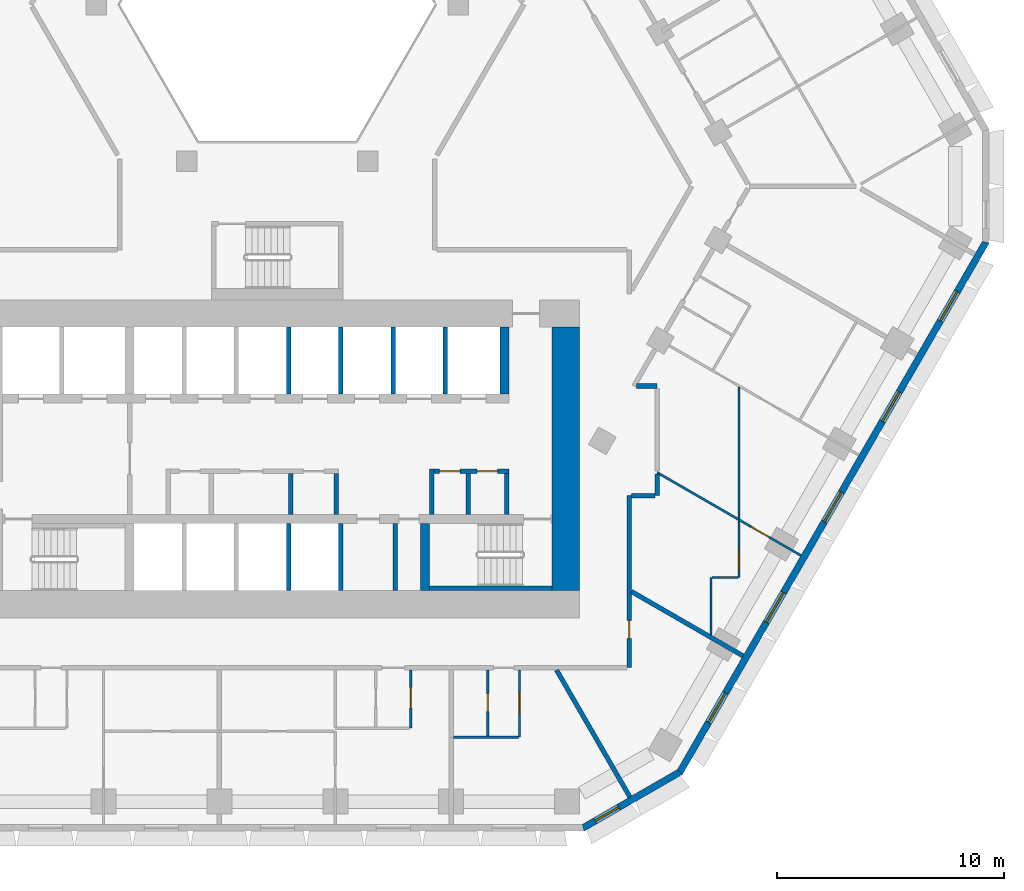
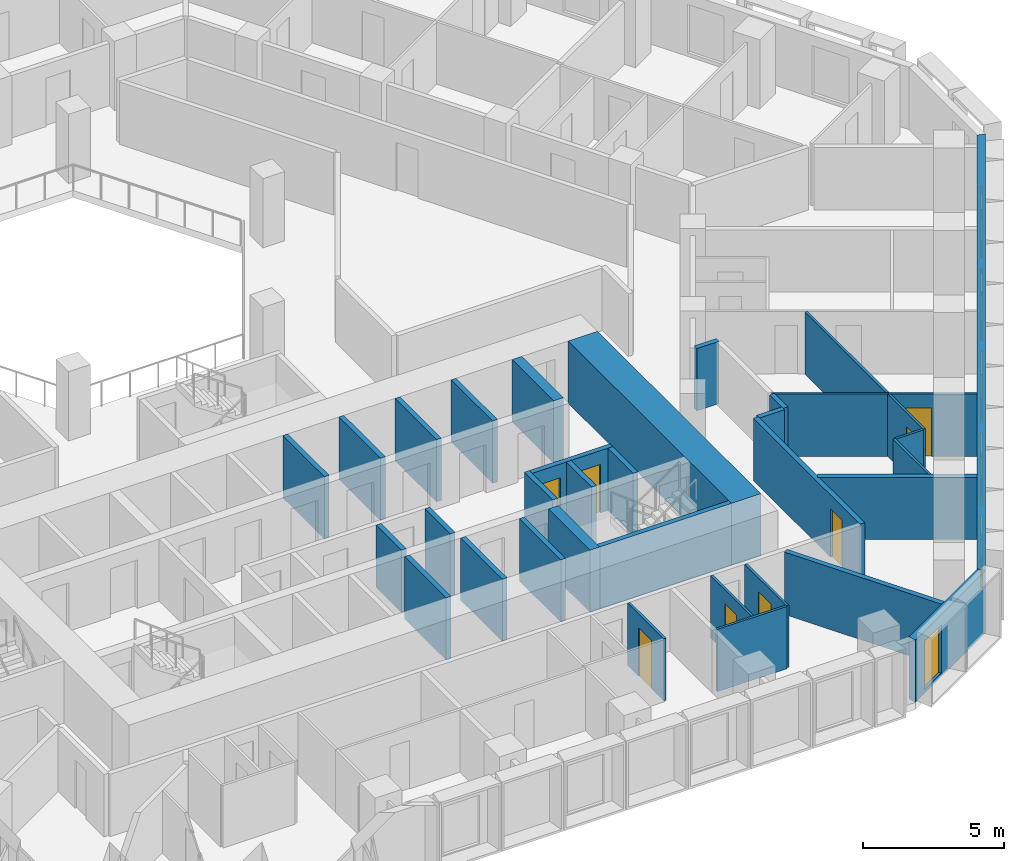
# One storey, part 6 of 16: 34 walls, 8 doors, 6 windows, 14 openings.
"""IFC4 building model written with IfcOpenShell, lengths in metres."""

from ifc_helpers import new_model, si_unit, direction, frame, frame_2d, origin, place, context, subcontext, project, spatial, polyline, rectangle, outline, extrude, material, layer, layer_set, type_object, element, fill, save


model = new_model("IFC4")

# Units and contexts
model_context = context("Model", 3, precision=1e-05, world=origin(), true_north=direction((0.0, 1.0)))
body_context = subcontext(model_context, "Body", "Model", "MODEL_VIEW")
ifc_project = project(units=[si_unit("LENGTHUNIT", "METRE"), si_unit("AREAUNIT", "SQUARE_METRE"), si_unit("VOLUMEUNIT", "CUBIC_METRE"), si_unit("PLANEANGLEUNIT", "RADIAN"), si_unit("MASSUNIT", "GRAM", prefix="KILO")], contexts=[model_context])

# Site, building, storey
site_placement = place(None, origin())
site = spatial("IfcSite", under=ifc_project, at=site_placement, CompositionType="ELEMENT")
building_placement = place(site_placement, origin())
building = spatial("IfcBuilding", under=site, at=building_placement, Name="Beryl Residences", CompositionType="ELEMENT")
storey_placement = place(building_placement, frame((0.0, 0.0, 56.39990234375)))
storey = spatial("IfcBuildingStorey", under=building, at=storey_placement, Name="L17", CompositionType="ELEMENT", Elevation=56.39990234375)

# Wall, opening, window
ifc_material_1 = material(Name="Composite metal panel with mineral wool insulation")
ifc_layer_1 = layer(ifc_material_1, 0.300048828125)
ifc_layer_set_1 = layer_set([ifc_layer_1], Name="ES1 pale metal composite panel wall 300 mm")
wall_type_1 = type_object("IfcWallType", Name="ES1 pale metal composite panel wall 300 mm", PredefinedType="SOLIDWALL", material=ifc_layer_set_1)
wall_1_placement = place(storey_placement, frame((13.43505859375, -28.27001953125, 0.0), z_axis=(0.0, 0.0, 1.0), x_axis=(0.866010750942, 0.50002537861, 0.0)))
wall_1 = element("IfcWall", 1, at=wall_1_placement, inside=storey, type_object=wall_type_1, Name="ES1 external wall L17 S-SE", PredefinedType="SOLIDWALL", context=body_context, shape_type="SweptSolid", body=[
    extrude(outline(polyline([(0.0, -0.14990234375), (4.999755859375, -0.14990234375), (4.91943359375, 0.14990234375), (0.080322265625, 0.14990234375), (0.0, -0.14990234375)])), origin(), (0.0, 0.0, 1.0), 2.7001953125),
])
opening_1_placement = place(wall_1_placement, frame((0.64990234375, 0.0, 0.14990234375)))
opening_1 = element("IfcOpeningElement", 2, at=opening_1_placement, cuts=wall_1, Name="Opening W2", PredefinedType="OPENING", context=body_context, shape_type="SweptSolid", body=[
    extrude(rectangle(XDim=1.199951171875, YDim=2.10009765625, at=frame_2d((0.60009765625, 1.050048828125))), frame((0.0, 0.159912109375, 0.0), z_axis=(0.0, -1.0, 0.0), x_axis=(1.0, 0.0, 0.0)), (0.0, 0.0, 1.0), 0.320068359375),
])
ifc_material_2 = material(Name="Aluminium and clear glass", Category="aluminium")
window_type_1 = type_object("IfcWindowType", Name="W2 chamfer window 1200 x 2100 mm", PartitioningType="SINGLE_PANEL", PredefinedType="WINDOW", material=ifc_material_2)
window_1_placement = place(opening_1_placement, origin())
window_1 = element("IfcWindow", 3, at=window_1_placement, inside=storey, type_object=window_type_1, Name="W2 window L17 S-SE 1", OverallHeight=2.10009765625, OverallWidth=1.199951171875, PartitioningType="SINGLE_PANEL", PredefinedType="WINDOW", context=body_context, shape_type="SweptSolid", body=[
    extrude(rectangle(XDim=1.199951171875, YDim=2.10009765625, at=frame_2d((0.60009765625, 1.050048828125))), frame((0.0, 0.030029296875, 0.0), z_axis=(0.0, -1.0, 0.0), x_axis=(1.0, 0.0, 0.0)), (0.0, 0.0, 1.0), 0.06005859375),
])
fill(opening_1, window_1)

# Wall, openings, windows
wall_2_placement = place(storey_placement, frame((17.7099609375, -25.824951171875, 0.0), z_axis=(0.0, 0.0, 1.0), x_axis=(0.500001938803, 0.866024284413, 0.0)))
wall_2 = element("IfcWall", 4, at=wall_2_placement, inside=storey, type_object=wall_type_1, Name="ES1 external wall L17 SE", PredefinedType="SOLIDWALL", context=body_context, shape_type="SweptSolid", body=[
    extrude(outline(polyline([(0.0, -0.14990234375), (27.02001953125, -0.14990234375), (26.939697265625, 0.14990234375), (0.080322265625, 0.14990234375), (0.0, -0.14990234375)])), origin(), (0.0, 0.0, 1.0), 2.7001953125),
])
opening_2_placement = place(wall_2_placement, frame((2.552978515625, 0.0, 0.14990234375)))
opening_2 = element("IfcOpeningElement", 5, at=opening_2_placement, cuts=wall_2, Name="Opening W1", PredefinedType="OPENING", context=body_context, shape_type="SweptSolid", body=[
    extrude(rectangle(XDim=1.5, YDim=2.10009765625, at=frame_2d((0.75, 1.050048828125))), frame((0.0, 0.159912109375, 0.0), z_axis=(0.0, -1.0, 0.0), x_axis=(1.0, 0.0, 0.0)), (0.0, 0.0, 1.0), 0.320068359375),
])
opening_3_placement = place(wall_2_placement, frame((7.657958984375, 0.0, 0.14990234375)))
opening_3 = element("IfcOpeningElement", 6, at=opening_3_placement, cuts=wall_2, Name="Opening W1", PredefinedType="OPENING", context=body_context, shape_type="SweptSolid", body=[
    extrude(rectangle(XDim=1.5, YDim=2.10009765625, at=frame_2d((0.75, 1.050048828125))), frame((0.0, 0.159912109375, 0.0), z_axis=(0.0, -1.0, 0.0), x_axis=(1.0, 0.0, 0.0)), (0.0, 0.0, 1.0), 0.320068359375),
])
opening_4_placement = place(wall_2_placement, frame((12.760986328125, 0.0, 0.14990234375)))
opening_4 = element("IfcOpeningElement", 7, at=opening_4_placement, cuts=wall_2, Name="Opening W1", PredefinedType="OPENING", context=body_context, shape_type="SweptSolid", body=[
    extrude(rectangle(XDim=1.5, YDim=2.10009765625, at=frame_2d((0.75, 1.050048828125))), frame((0.0, 0.159912109375, 0.0), z_axis=(0.0, -1.0, 0.0), x_axis=(1.0, 0.0, 0.0)), (0.0, 0.0, 1.0), 0.320068359375),
])
opening_5_placement = place(wall_2_placement, frame((17.864990234375, 0.0, 0.14990234375)))
opening_5 = element("IfcOpeningElement", 8, at=opening_5_placement, cuts=wall_2, Name="Opening W1", PredefinedType="OPENING", context=body_context, shape_type="SweptSolid", body=[
    extrude(rectangle(XDim=1.5, YDim=2.10009765625, at=frame_2d((0.75, 1.050048828125))), frame((0.0, 0.159912109375, 0.0), z_axis=(0.0, -1.0, 0.0), x_axis=(1.0, 0.0, 0.0)), (0.0, 0.0, 1.0), 0.320068359375),
])
opening_6_placement = place(wall_2_placement, frame((22.968994140625, 0.0, 0.14990234375)))
opening_6 = element("IfcOpeningElement", 9, at=opening_6_placement, cuts=wall_2, Name="Opening W1", PredefinedType="OPENING", context=body_context, shape_type="SweptSolid", body=[
    extrude(rectangle(XDim=1.5, YDim=2.10009765625, at=frame_2d((0.75, 1.050048828125))), frame((0.0, 0.159912109375, 0.0), z_axis=(0.0, -1.0, 0.0), x_axis=(1.0, 0.0, 0.0)), (0.0, 0.0, 1.0), 0.320068359375),
])
ifc_material_3 = material(Name="Aluminium and clear glass", Category="aluminium")
window_type_2 = type_object("IfcWindowType", Name="W1 cell window 1500 x 2100 mm", PartitioningType="SINGLE_PANEL", PredefinedType="WINDOW", material=ifc_material_3)
window_2_placement = place(opening_2_placement, origin())
window_2 = element("IfcWindow", 10, at=window_2_placement, inside=storey, type_object=window_type_2, Name="W1 window L17 SE 2", OverallHeight=2.10009765625, OverallWidth=1.5, PartitioningType="SINGLE_PANEL", PredefinedType="WINDOW", context=body_context, shape_type="SweptSolid", body=[
    extrude(rectangle(XDim=1.5, YDim=2.10009765625, at=frame_2d((0.75, 1.050048828125))), frame((0.0, 0.030029296875, 0.0), z_axis=(0.0, -1.0, 0.0), x_axis=(1.0, 0.0, 0.0)), (0.0, 0.0, 1.0), 0.06005859375),
])
fill(opening_2, window_2)
window_3_placement = place(opening_3_placement, origin())
window_3 = element("IfcWindow", 11, at=window_3_placement, inside=storey, type_object=window_type_2, Name="W1 window L17 SE 4", OverallHeight=2.10009765625, OverallWidth=1.5, PartitioningType="SINGLE_PANEL", PredefinedType="WINDOW", context=body_context, shape_type="SweptSolid", body=[
    extrude(rectangle(XDim=1.5, YDim=2.10009765625, at=frame_2d((0.75, 1.050048828125))), frame((0.0, 0.030029296875, 0.0), z_axis=(0.0, -1.0, 0.0), x_axis=(1.0, 0.0, 0.0)), (0.0, 0.0, 1.0), 0.06005859375),
])
fill(opening_3, window_3)
window_4_placement = place(opening_4_placement, origin())
window_4 = element("IfcWindow", 12, at=window_4_placement, inside=storey, type_object=window_type_2, Name="W1 window L17 SE 6", OverallHeight=2.10009765625, OverallWidth=1.5, PartitioningType="SINGLE_PANEL", PredefinedType="WINDOW", context=body_context, shape_type="SweptSolid", body=[
    extrude(rectangle(XDim=1.5, YDim=2.10009765625, at=frame_2d((0.75, 1.050048828125))), frame((0.0, 0.030029296875, 0.0), z_axis=(0.0, -1.0, 0.0), x_axis=(1.0, 0.0, 0.0)), (0.0, 0.0, 1.0), 0.06005859375),
])
fill(opening_4, window_4)
window_5_placement = place(opening_5_placement, origin())
window_5 = element("IfcWindow", 13, at=window_5_placement, inside=storey, type_object=window_type_2, Name="W1 window L17 SE 8", OverallHeight=2.10009765625, OverallWidth=1.5, PartitioningType="SINGLE_PANEL", PredefinedType="WINDOW", context=body_context, shape_type="SweptSolid", body=[
    extrude(rectangle(XDim=1.5, YDim=2.10009765625, at=frame_2d((0.75, 1.050048828125))), frame((0.0, 0.030029296875, 0.0), z_axis=(0.0, -1.0, 0.0), x_axis=(1.0, 0.0, 0.0)), (0.0, 0.0, 1.0), 0.06005859375),
])
fill(opening_5, window_5)
window_6_placement = place(opening_6_placement, origin())
window_6 = element("IfcWindow", 14, at=window_6_placement, inside=storey, type_object=window_type_2, Name="W1 window L17 SE 10", OverallHeight=2.10009765625, OverallWidth=1.5, PartitioningType="SINGLE_PANEL", PredefinedType="WINDOW", context=body_context, shape_type="SweptSolid", body=[
    extrude(rectangle(XDim=1.5, YDim=2.10009765625, at=frame_2d((0.75, 1.050048828125))), frame((0.0, 0.030029296875, 0.0), z_axis=(0.0, -1.0, 0.0), x_axis=(1.0, 0.0, 0.0)), (0.0, 0.0, 1.0), 0.06005859375),
])
fill(opening_6, window_6)

# Walls
ifc_material_4 = material(Name="Gypsum board partition on steel studs", Category="steel")
ifc_layer_2 = layer(ifc_material_4, 0.10009765625)
ifc_layer_set_2 = layer_set([ifc_layer_2], Name="PT1 partition 100 mm gypsum board on steel studs")
wall_type_2 = type_object("IfcWallType", Name="PT1 partition 100 mm gypsum board on steel studs", PredefinedType="PARTITIONING", material=ifc_layer_set_2)
wall_3_placement = place(storey_placement, frame((16.72802734375, -12.60302734375, 0.0), z_axis=(0.0, 0.0, 1.0), x_axis=(0.865975293465, -0.500086783578, 0.0)))
element("IfcWall", 15, at=wall_3_placement, inside=storey, type_object=wall_type_2, Name="Wall PT1 L17 016", PredefinedType="PARTITIONING", context=body_context, shape_type="SweptSolid", body=[
    extrude(rectangle(XDim=4.156982421875, YDim=0.10009765625, at=frame_2d((2.07861328125, 0.0))), origin(), (0.0, 0.0, 1.0), 2.7001953125),
])
wall_4_placement = place(storey_placement, frame((19.14990234375, -17.22412109375, 0.0), z_axis=(0.0, 0.0, 1.0), x_axis=(1.0, 0.0, 0.0)))
element("IfcWall", 16, at=wall_4_placement, inside=storey, type_object=wall_type_2, Name="Wall PT1 L17 027", PredefinedType="PARTITIONING", context=body_context, shape_type="SweptSolid", body=[
    extrude(rectangle(XDim=1.127197265625, YDim=0.10009765625, at=frame_2d((0.5634765625, 0.0))), origin(), (0.0, 0.0, 1.0), 2.7001953125),
])
wall_5_placement = place(storey_placement, frame((7.757080078125, -24.260009765625, 0.0), z_axis=(0.0, 0.0, 1.0), x_axis=(1.0, 0.0, 0.0)))
element("IfcWall", 17, at=wall_5_placement, inside=storey, type_object=wall_type_2, Name="Wall PT1 L17 031", PredefinedType="PARTITIONING", context=body_context, shape_type="SweptSolid", body=[
    extrude(rectangle(XDim=2.85791015625, YDim=0.10009765625, at=frame_2d((1.428955078125, 0.0))), origin(), (0.0, 0.0, 1.0), 2.7001953125),
])

# Wall, opening, door
wall_6_placement = place(storey_placement, frame((5.87109375, -23.85888671875, 0.0), z_axis=(0.0, 0.0, 1.0), x_axis=(0.0, 1.0, 0.0)))
wall_6 = element("IfcWall", 18, at=wall_6_placement, inside=storey, type_object=wall_type_2, Name="Wall PT1 L17 042", PredefinedType="PARTITIONING", context=body_context, shape_type="SweptSolid", body=[
    extrude(rectangle(XDim=2.558837890625, YDim=0.10009765625, at=frame_2d((1.279296875, 0.0))), origin(), (0.0, 0.0, 1.0), 2.7001953125),
])
opening_7_placement = place(wall_6_placement, frame((0.87890625, 0.0, 0.0)))
opening_7 = element("IfcOpeningElement", 19, at=opening_7_placement, cuts=wall_6, Name="Opening D0528", PredefinedType="OPENING", context=body_context, shape_type="SweptSolid", body=[
    extrude(rectangle(XDim=0.89990234375, YDim=2.10009765625, at=frame_2d((0.449951171875, 1.050048828125))), frame((0.0, 0.06005859375, 0.0), z_axis=(0.0, -1.0, 0.0), x_axis=(1.0, 0.0, 0.0)), (0.0, 0.0, 1.0), 0.1201171875),
])
ifc_material_5 = material(Name="Timber door leaf", Category="wood")
door_type_1 = type_object("IfcDoorType", Name="D2 room door 900 x 2100 mm", OperationType="SINGLE_SWING_LEFT", PredefinedType="DOOR", material=ifc_material_5)
door_1_placement = place(opening_7_placement, origin())
door_1 = element("IfcDoor", 20, at=door_1_placement, inside=storey, type_object=door_type_1, Name="Door D0528 L17 001", OperationType="SINGLE_SWING_RIGHT", OverallHeight=2.10009765625, OverallWidth=0.89990234375, PredefinedType="DOOR", context=body_context, shape_type="SweptSolid", body=[
    extrude(rectangle(XDim=0.89990234375, YDim=2.10009765625, at=frame_2d((0.449951171875, 1.050048828125))), frame((0.0, 0.02490234375, 0.0), z_axis=(0.0, -1.0, 0.0), x_axis=(1.0, 0.0, 0.0)), (0.0, 0.0, 1.0), 0.050048828125),
])
fill(opening_7, door_1)

wall_7_placement = place(storey_placement, frame((9.26611328125, -24.2099609375, 0.0), z_axis=(0.0, 0.0, 1.0), x_axis=(0.0, 1.0, 0.0)))
wall_7 = element("IfcWall", 21, at=wall_7_placement, inside=storey, type_object=wall_type_2, Name="Wall PT1 L17 044", PredefinedType="PARTITIONING", context=body_context, shape_type="SweptSolid", body=[
    extrude(rectangle(XDim=2.909912109375, YDim=0.10009765625, at=frame_2d((1.455078125, 0.0))), origin(), (0.0, 0.0, 1.0), 2.7001953125),
])
opening_8_placement = place(wall_7_placement, frame((1.080078125, 0.0, 0.0)))
opening_8 = element("IfcOpeningElement", 22, at=opening_8_placement, cuts=wall_7, Name="Opening D0534", PredefinedType="OPENING", context=body_context, shape_type="SweptSolid", body=[
    extrude(rectangle(XDim=0.800048828125, YDim=2.10009765625, at=frame_2d((0.39990234375, 1.050048828125))), frame((0.0, 0.06005859375, 0.0), z_axis=(0.0, -1.0, 0.0), x_axis=(1.0, 0.0, 0.0)), (0.0, 0.0, 1.0), 0.1201171875),
])
ifc_material_6 = material(Name="Timber door leaf", Category="wood")
door_type_2 = type_object("IfcDoorType", Name="D3 bathroom door 800 x 2100 mm", OperationType="SINGLE_SWING_LEFT", PredefinedType="DOOR", material=ifc_material_6)
door_2_placement = place(opening_8_placement, origin())
door_2 = element("IfcDoor", 23, at=door_2_placement, inside=storey, type_object=door_type_2, Name="Door D0534 L17 001", OperationType="SINGLE_SWING_RIGHT", OverallHeight=2.10009765625, OverallWidth=0.800048828125, PredefinedType="DOOR", context=body_context, shape_type="SweptSolid", body=[
    extrude(rectangle(XDim=0.800048828125, YDim=2.10009765625, at=frame_2d((0.39990234375, 1.050048828125))), frame((0.0, 0.02490234375, 0.0), z_axis=(0.0, -1.0, 0.0), x_axis=(1.0, 0.0, 0.0)), (0.0, 0.0, 1.0), 0.050048828125),
])
fill(opening_8, door_2)

wall_8_placement = place(storey_placement, frame((10.666015625, -24.259033203125, 0.0), z_axis=(0.0, 0.0, 1.0), x_axis=(0.0, 1.0, 0.0)))
wall_8 = element("IfcWall", 24, at=wall_8_placement, inside=storey, type_object=wall_type_2, Name="Wall PT1 L17 045", PredefinedType="PARTITIONING", context=body_context, shape_type="SweptSolid", body=[
    extrude(rectangle(XDim=2.958984375, YDim=0.10009765625, at=frame_2d((1.4794921875, 0.0))), origin(), (0.0, 0.0, 1.0), 2.7001953125),
])
opening_9_placement = place(wall_8_placement, frame((1.0791015625, 0.0, 0.0)))
opening_9 = element("IfcOpeningElement", 25, at=opening_9_placement, cuts=wall_8, Name="Opening D0533", PredefinedType="OPENING", context=body_context, shape_type="SweptSolid", body=[
    extrude(rectangle(XDim=0.89990234375, YDim=2.10009765625, at=frame_2d((0.449951171875, 1.050048828125))), frame((0.0, 0.06005859375, 0.0), z_axis=(0.0, -1.0, 0.0), x_axis=(1.0, 0.0, 0.0)), (0.0, 0.0, 1.0), 0.1201171875),
])
door_3_placement = place(opening_9_placement, origin())
door_3 = element("IfcDoor", 26, at=door_3_placement, inside=storey, type_object=door_type_1, Name="Door D0533 L17 001", OperationType="SINGLE_SWING_LEFT", OverallHeight=2.10009765625, OverallWidth=0.89990234375, PredefinedType="DOOR", context=body_context, shape_type="SweptSolid", body=[
    extrude(rectangle(XDim=0.89990234375, YDim=2.10009765625, at=frame_2d((0.449951171875, 1.050048828125))), frame((0.0, 0.02490234375, 0.0), z_axis=(0.0, -1.0, 0.0), x_axis=(1.0, 0.0, 0.0)), (0.0, 0.0, 1.0), 0.050048828125),
])
fill(opening_9, door_3)

# Wall
wall_9_placement = place(storey_placement, frame((19.10009765625, -19.7509765625, 0.0), z_axis=(0.0, 0.0, 1.0), x_axis=(0.0, 1.0, 0.0)))
element("IfcWall", 27, at=wall_9_placement, inside=storey, type_object=wall_type_2, Name="Wall PT1 L17 046", PredefinedType="PARTITIONING", context=body_context, shape_type="SweptSolid", body=[
    extrude(rectangle(XDim=2.52685546875, YDim=0.10009765625, at=frame_2d((1.263427734375, 0.0))), origin(), (0.0, 0.0, 1.0), 2.7001953125),
])

# Wall, opening, door
wall_10_placement = place(storey_placement, frame((20.327880859375, -17.222900390625, 0.0), z_axis=(0.0, 0.0, 1.0), x_axis=(0.0, 1.0, 0.0)))
wall_10 = element("IfcWall", 28, at=wall_10_placement, inside=storey, type_object=wall_type_2, Name="Wall PT1 L17 047", PredefinedType="PARTITIONING", context=body_context, shape_type="SweptSolid", body=[
    extrude(rectangle(XDim=8.3759765625, YDim=0.10009765625, at=frame_2d((4.18798828125, 0.0))), origin(), (0.0, 0.0, 1.0), 2.7001953125),
])
opening_10_placement = place(wall_10_placement, frame((0.3701171875, 0.0, 0.0)))
opening_10 = element("IfcOpeningElement", 29, at=opening_10_placement, cuts=wall_10, Name="Opening D0543", PredefinedType="OPENING", context=body_context, shape_type="SweptSolid", body=[
    extrude(rectangle(XDim=0.800048828125, YDim=2.10009765625, at=frame_2d((0.39990234375, 1.050048828125))), frame((0.0, 0.06005859375, 0.0), z_axis=(0.0, -1.0, 0.0), x_axis=(1.0, 0.0, 0.0)), (0.0, 0.0, 1.0), 0.1201171875),
])
door_4_placement = place(opening_10_placement, origin())
door_4 = element("IfcDoor", 30, at=door_4_placement, inside=storey, type_object=door_type_2, Name="Door D0543 L17 001", OperationType="SINGLE_SWING_LEFT", OverallHeight=2.10009765625, OverallWidth=0.800048828125, PredefinedType="DOOR", context=body_context, shape_type="SweptSolid", body=[
    extrude(rectangle(XDim=0.800048828125, YDim=2.10009765625, at=frame_2d((0.39990234375, 1.050048828125))), frame((0.0, 0.02490234375, 0.0), z_axis=(0.0, -1.0, 0.0), x_axis=(1.0, 0.0, 0.0)), (0.0, 0.0, 1.0), 0.050048828125),
])
fill(opening_10, door_4)

wall_11_placement = place(storey_placement, frame((20.327880859375, -14.681884765625, 0.0), z_axis=(0.0, 0.0, 1.0), x_axis=(0.866063163075, -0.499934593286, 0.0)))
wall_11 = element("IfcWall", 31, at=wall_11_placement, inside=storey, type_object=wall_type_2, Name="Wall PT1 L17 072", PredefinedType="PARTITIONING", context=body_context, shape_type="SweptSolid", body=[
    extrude(rectangle(XDim=3.15478515625, YDim=0.10009765625, at=frame_2d((1.577392578125, 0.0))), origin(), (0.0, 0.0, 1.0), 2.7001953125),
])
opening_11_placement = place(wall_11_placement, frame((0.626953125, 0.0, 0.0)))
opening_11 = element("IfcOpeningElement", 32, at=opening_11_placement, cuts=wall_11, Name="Opening D0542", PredefinedType="OPENING", context=body_context, shape_type="SweptSolid", body=[
    extrude(rectangle(XDim=0.89990234375, YDim=2.10009765625, at=frame_2d((0.449951171875, 1.050048828125))), frame((0.0, 0.06005859375, 0.0), z_axis=(0.0, -1.0, 0.0), x_axis=(1.0, 0.0, 0.0)), (0.0, 0.0, 1.0), 0.1201171875),
])
door_5_placement = place(opening_11_placement, origin())
door_5 = element("IfcDoor", 33, at=door_5_placement, inside=storey, type_object=door_type_1, Name="Door D0542 L17 001", OperationType="SINGLE_SWING_RIGHT", OverallHeight=2.10009765625, OverallWidth=0.89990234375, PredefinedType="DOOR", context=body_context, shape_type="SweptSolid", body=[
    extrude(rectangle(XDim=0.89990234375, YDim=2.10009765625, at=frame_2d((0.449951171875, 1.050048828125))), frame((0.0, 0.02490234375, 0.0), z_axis=(0.0, -1.0, 0.0), x_axis=(1.0, 0.0, 0.0)), (0.0, 0.0, 1.0), 0.050048828125),
])
fill(opening_11, door_5)

# Walls
ifc_material_7 = material(Name="Concrete masonry", Category="masonry")
ifc_layer_3 = layer(ifc_material_7, 0.199951171875)
ifc_layer_set_3 = layer_set([ifc_layer_3], Name="PT13 lobby wall 200 mm")
wall_type_3 = type_object("IfcWallType", Name="PT13 lobby wall 200 mm", PredefinedType="PARTITIONING", material=ifc_layer_set_3)
wall_12_placement = place(storey_placement, frame((2.60009765625, -14.449951171875, 0.0), z_axis=(0.0, 0.0, 1.0), x_axis=(0.0, 1.0, 0.0)))
element("IfcWall", 34, at=wall_12_placement, inside=storey, type_object=wall_type_3, Name="Lobby wall 17", PredefinedType="PARTITIONING", context=body_context, shape_type="SweptSolid", body=[
    extrude(rectangle(XDim=1.800048828125, YDim=0.199951171875, at=frame_2d((0.89990234375, 0.0))), origin(), (0.0, 0.0, 1.0), 2.7001953125),
])
wall_13_placement = place(storey_placement, frame((6.800048828125, -14.449951171875, 0.0), z_axis=(0.0, 0.0, 1.0), x_axis=(0.0, 1.0, 0.0)))
element("IfcWall", 35, at=wall_13_placement, inside=storey, type_object=wall_type_3, Name="Lobby wall 23", PredefinedType="PARTITIONING", context=body_context, shape_type="SweptSolid", body=[
    extrude(rectangle(XDim=2.0, YDim=0.199951171875, at=frame_2d((1.0, 0.0))), origin(), (0.0, 0.0, 1.0), 2.7001953125),
])

# Wall, openings, doors
wall_14_placement = place(storey_placement, frame((6.89990234375, -12.550048828125, 0.0), z_axis=(0.0, 0.0, 1.0), x_axis=(1.0, 0.0, 0.0)))
wall_14 = element("IfcWall", 36, at=wall_14_placement, inside=storey, type_object=wall_type_3, Name="Lobby wall 24", PredefinedType="PARTITIONING", context=body_context, shape_type="SweptSolid", body=[
    extrude(rectangle(XDim=3.300048828125, YDim=0.199951171875, at=frame_2d((1.64990234375, 0.0))), origin(), (0.0, 0.0, 1.0), 2.7001953125),
])
opening_12_placement = place(wall_14_placement, frame((1.14990234375, 0.0, 0.0), z_axis=(0.0, 0.0, 1.0), x_axis=(-1.0, 0.0, 0.0)))
opening_12 = element("IfcOpeningElement", 37, at=opening_12_placement, cuts=wall_14, Name="Opening CD-D-A4-900", PredefinedType="OPENING", context=body_context, shape_type="SweptSolid", body=[
    extrude(rectangle(XDim=0.89990234375, YDim=2.10009765625, at=frame_2d((0.449951171875, 1.050048828125))), frame((0.0, 0.10986328125, 0.0), z_axis=(0.0, -1.0, 0.0), x_axis=(1.0, 0.0, 0.0)), (0.0, 0.0, 1.0), 0.219970703125),
])
opening_13_placement = place(wall_14_placement, frame((2.7998046875, 0.0, 0.0), z_axis=(0.0, 0.0, 1.0), x_axis=(-1.0, 0.0, 0.0)))
opening_13 = element("IfcOpeningElement", 38, at=opening_13_placement, cuts=wall_14, Name="Opening CD-D-A5-900", PredefinedType="OPENING", context=body_context, shape_type="SweptSolid", body=[
    extrude(rectangle(XDim=0.89990234375, YDim=2.10009765625, at=frame_2d((0.449951171875, 1.050048828125))), frame((0.0, 0.10986328125, 0.0), z_axis=(0.0, -1.0, 0.0), x_axis=(1.0, 0.0, 0.0)), (0.0, 0.0, 1.0), 0.219970703125),
])
ifc_material_8 = material(Name="Steel door leaf in steel frame", Category="steel")
door_type_3 = type_object("IfcDoorType", Name="D6 service room door 900 x 2100 mm", OperationType="SINGLE_SWING_LEFT", PredefinedType="DOOR", material=ifc_material_8)
door_6_placement = place(opening_12_placement, origin())
door_6 = element("IfcDoor", 39, at=door_6_placement, inside=storey, type_object=door_type_3, Name="Door CD-D-A4-900 L17 001", OperationType="SINGLE_SWING_LEFT", OverallHeight=2.10009765625, OverallWidth=0.89990234375, PredefinedType="DOOR", context=body_context, shape_type="SweptSolid", body=[
    extrude(rectangle(XDim=0.89990234375, YDim=2.10009765625, at=frame_2d((0.449951171875, 1.050048828125))), frame((0.0, 0.02490234375, 0.0), z_axis=(0.0, -1.0, 0.0), x_axis=(1.0, 0.0, 0.0)), (0.0, 0.0, 1.0), 0.050048828125),
])
fill(opening_12, door_6)
door_7_placement = place(opening_13_placement, origin())
door_7 = element("IfcDoor", 40, at=door_7_placement, inside=storey, type_object=door_type_3, Name="Door CD-D-A5-900 L17 001", OperationType="SINGLE_SWING_RIGHT", OverallHeight=2.10009765625, OverallWidth=0.89990234375, PredefinedType="DOOR", context=body_context, shape_type="SweptSolid", body=[
    extrude(rectangle(XDim=0.89990234375, YDim=2.10009765625, at=frame_2d((0.449951171875, 1.050048828125))), frame((0.0, 0.02490234375, 0.0), z_axis=(0.0, -1.0, 0.0), x_axis=(1.0, 0.0, 0.0)), (0.0, 0.0, 1.0), 0.050048828125),
])
fill(opening_13, door_7)

# Walls
wall_15_placement = place(storey_placement, frame((10.10009765625, -14.449951171875, 0.0), z_axis=(0.0, 0.0, 1.0), x_axis=(0.0, 1.0, 0.0)))
element("IfcWall", 41, at=wall_15_placement, inside=storey, type_object=wall_type_3, Name="Lobby wall 27", PredefinedType="PARTITIONING", context=body_context, shape_type="SweptSolid", body=[
    extrude(rectangle(XDim=1.800048828125, YDim=0.199951171875, at=frame_2d((0.89990234375, 0.0))), origin(), (0.0, 0.0, 1.0), 2.7001953125),
])
ifc_material_9 = material(Name="Acoustic double stud gypsum board wall")
ifc_layer_4 = layer(ifc_material_9, 0.199951171875)
ifc_layer_set_4 = layer_set([ifc_layer_4], Name="PT3 party wall 200 mm acoustic double stud")
wall_type_4 = type_object("IfcWallType", Name="PT3 party wall 200 mm acoustic double stud", PredefinedType="PARTITIONING", material=ifc_layer_set_4)
wall_16_placement = place(storey_placement, frame((12.297119140625, -21.300048828125, 0.0), z_axis=(0.0, 0.0, 1.0), x_axis=(0.500056399578, -0.865992839024, 0.0)))
element("IfcWall", 42, at=wall_16_placement, inside=storey, type_object=wall_type_4, Name="Wall PT3 L17 002", PredefinedType="PARTITIONING", context=body_context, shape_type="SweptSolid", body=[
    extrude(rectangle(XDim=6.454833984375, YDim=0.199951171875, at=frame_2d((3.2275390625, 0.0))), origin(), (0.0, 0.0, 1.0), 2.7001953125),
])
wall_17_placement = place(storey_placement, frame((15.60009765625, -17.845947265625, 0.0), z_axis=(0.0, 0.0, 1.0), x_axis=(0.866071523686, -0.499920109479, 0.0)))
element("IfcWall", 43, at=wall_17_placement, inside=storey, type_object=wall_type_4, Name="Wall PT3 L17 004", PredefinedType="PARTITIONING", context=body_context, shape_type="SweptSolid", body=[
    extrude(rectangle(XDim=5.6669921875, YDim=0.199951171875, at=frame_2d((2.83349609375, 0.0))), origin(), (0.0, 0.0, 1.0), 2.7001953125),
])
ifc_material_10 = material(Name="Double stud gypsum board wall")
ifc_layer_5 = layer(ifc_material_10, 0.199951171875)
ifc_layer_set_5 = layer_set([ifc_layer_5], Name="PT4 corridor wall 200 mm double stud")
wall_type_5 = type_object("IfcWallType", Name="PT4 corridor wall 200 mm double stud", PredefinedType="PARTITIONING", material=ifc_layer_set_5)
wall_18_placement = place(storey_placement, frame((15.822021484375, -8.7939453125, 0.0), z_axis=(0.0, 0.0, 1.0), x_axis=(1.0, 0.0, 0.0)))
element("IfcWall", 44, at=wall_18_placement, inside=storey, type_object=wall_type_5, Name="Wall PT4 L17 011", PredefinedType="PARTITIONING", context=body_context, shape_type="SweptSolid", body=[
    extrude(rectangle(XDim=0.905029296875, YDim=0.199951171875, at=frame_2d((0.45263671875, 0.0))), origin(), (0.0, 0.0, 1.0), 2.7001953125),
])
wall_19_placement = place(storey_placement, frame((15.60009765625, -13.6240234375, 0.0), z_axis=(0.0, 0.0, 1.0), x_axis=(1.0, 0.0, 0.0)))
element("IfcWall", 45, at=wall_19_placement, inside=storey, type_object=wall_type_5, Name="Wall PT4 L17 012", PredefinedType="PARTITIONING", context=body_context, shape_type="SweptSolid", body=[
    extrude(rectangle(XDim=1.02685546875, YDim=0.199951171875, at=frame_2d((0.513427734375, 0.0))), origin(), (0.0, 0.0, 1.0), 2.7001953125),
])

# Wall, opening, door
wall_20_placement = place(storey_placement, frame((15.5, -21.198974609375, 0.0), z_axis=(0.0, 0.0, 1.0), x_axis=(0.0, 1.0, 0.0)))
wall_20 = element("IfcWall", 46, at=wall_20_placement, inside=storey, type_object=wall_type_5, Name="Wall PT4 L17 027", PredefinedType="PARTITIONING", context=body_context, shape_type="SweptSolid", body=[
    extrude(rectangle(XDim=7.574951171875, YDim=0.199951171875, at=frame_2d((3.78759765625, 0.0))), origin(), (0.0, 0.0, 1.0), 2.7001953125),
])
opening_14_placement = place(wall_20_placement, frame((1.2880859375, 0.0, 0.0)))
opening_14 = element("IfcOpeningElement", 47, at=opening_14_placement, cuts=wall_20, Name="Opening D0535", PredefinedType="OPENING", context=body_context, shape_type="SweptSolid", body=[
    extrude(rectangle(XDim=0.800048828125, YDim=2.10009765625, at=frame_2d((0.39990234375, 1.050048828125))), frame((0.0, 0.10986328125, 0.0), z_axis=(0.0, -1.0, 0.0), x_axis=(1.0, 0.0, 0.0)), (0.0, 0.0, 1.0), 0.219970703125),
])
door_8_placement = place(opening_14_placement, origin())
door_8 = element("IfcDoor", 48, at=door_8_placement, inside=storey, type_object=door_type_2, Name="Door D0535 L17 001", OperationType="SINGLE_SWING_LEFT", OverallHeight=2.10009765625, OverallWidth=0.800048828125, PredefinedType="DOOR", context=body_context, shape_type="SweptSolid", body=[
    extrude(rectangle(XDim=0.800048828125, YDim=2.10009765625, at=frame_2d((0.39990234375, 1.050048828125))), frame((0.0, 0.02490234375, 0.0), z_axis=(0.0, -1.0, 0.0), x_axis=(1.0, 0.0, 0.0)), (0.0, 0.0, 1.0), 0.050048828125),
])
fill(opening_14, door_8)

# Walls
wall_21_placement = place(storey_placement, frame((16.72802734375, -13.623046875, 0.0), z_axis=(0.0, 0.0, 1.0), x_axis=(0.0, 1.0, 0.0)))
element("IfcWall", 49, at=wall_21_placement, inside=storey, type_object=wall_type_5, Name="Wall PT4 L17 029", PredefinedType="PARTITIONING", context=body_context, shape_type="SweptSolid", body=[
    extrude(rectangle(XDim=0.962158203125, YDim=0.199951171875, at=frame_2d((0.48095703125, 0.0))), origin(), (0.0, 0.0, 1.0), 2.7001953125),
])
ifc_material_11 = material(Name="Concrete C40/50", Category="concrete")
ifc_layer_6 = layer(ifc_material_11, 0.199951171875)
ifc_layer_set_6 = layer_set([ifc_layer_6], Name="PT5 stair enclosure wall 200 mm reinforced concrete C40/50")
wall_type_6 = type_object("IfcWallType", Name="PT5 stair enclosure wall 200 mm reinforced concrete C40/50", PredefinedType="SOLIDWALL", material=ifc_layer_set_6)
wall_22_placement = place(storey_placement, frame((6.699951171875, -17.699951171875, 0.0), z_axis=(0.0, 0.0, 1.0), x_axis=(1.0, 0.0, 0.0)))
element("IfcWall", 50, at=wall_22_placement, inside=storey, type_object=wall_type_6, Name="Stair wall 22", PredefinedType="SOLIDWALL", context=body_context, shape_type="SweptSolid", body=[
    extrude(rectangle(XDim=5.400146484375, YDim=0.199951171875, at=frame_2d((2.7001953125, 0.0))), origin(), (0.0, 0.0, 1.0), 2.7001953125),
])
ifc_material_12 = material(Name="Concrete C40/50", Category="concrete")
ifc_layer_7 = layer(ifc_material_12, 0.199951171875)
ifc_layer_set_7 = layer_set([ifc_layer_7], Name="PT6 lift shaft wall 200 mm reinforced concrete C40/50")
wall_type_7 = type_object("IfcWallType", Name="PT6 lift shaft wall 200 mm reinforced concrete C40/50", PredefinedType="SOLIDWALL", material=ifc_layer_set_7)
for number, where, z_axis, x_axis, name in (
    (51, (0.5, -17.800048828125, 0.0), (0.0, 0.0, 1.0), (0.0, 1.0, 0.0), "Lift shaft wall 14"),
    (52, (0.5, -9.14990234375, 0.0), (0.0, 0.0, 1.0), (0.0, 1.0, 0.0), "Lift shaft wall 15"),
    (53, (2.800048828125, -17.800048828125, 0.0), (0.0, 0.0, 1.0), (0.0, 1.0, 0.0), "Lift shaft wall 18"),
    (54, (2.800048828125, -9.14990234375, 0.0), (0.0, 0.0, 1.0), (0.0, 1.0, 0.0), "Lift shaft wall 19"),
    (55, (5.10009765625, -9.14990234375, 0.0), (0.0, 0.0, 1.0), (0.0, 1.0, 0.0), "Lift shaft wall 20"),
    (56, (7.39990234375, -9.14990234375, 0.0), (0.0, 0.0, 1.0), (0.0, 1.0, 0.0), "Lift shaft wall 25"),
):
    element("IfcWall", number, at=place(storey_placement, frame(where, z_axis=z_axis, x_axis=x_axis)), inside=storey, type_object=wall_type_7, Name=name, PredefinedType="SOLIDWALL", context=body_context, shape_type="SweptSolid", body=[
        extrude(rectangle(XDim=2.949951171875, YDim=0.199951171875, at=frame_2d((1.47509765625, 0.0))), origin(), (0.0, 0.0, 1.0), 2.7001953125),
    ])
ifc_material_13 = material(Name="Concrete masonry", Category="masonry")
ifc_layer_8 = layer(ifc_material_13, 0.199951171875)
ifc_layer_set_8 = layer_set([ifc_layer_8], Name="PT7-200 riser wall 200 mm")
wall_type_8 = type_object("IfcWallType", Name="PT7-200 riser wall 200 mm", PredefinedType="PARTITIONING", material=ifc_layer_set_8)
wall_23_placement = place(storey_placement, frame((5.199951171875, -17.800048828125, 0.0), z_axis=(0.0, 0.0, 1.0), x_axis=(0.0, 1.0, 0.0)))
element("IfcWall", 57, at=wall_23_placement, inside=storey, type_object=wall_type_8, Name="Riser wall 21", PredefinedType="PARTITIONING", context=body_context, shape_type="SweptSolid", body=[
    extrude(rectangle(XDim=2.949951171875, YDim=0.199951171875, at=frame_2d((1.47509765625, 0.0))), origin(), (0.0, 0.0, 1.0), 2.7001953125),
])
ifc_material_14 = material(Name="Concrete masonry", Category="masonry")
ifc_layer_9 = layer(ifc_material_14, 0.199951171875)
ifc_layer_set_9 = layer_set([ifc_layer_9], Name="PT8-200 service room wall 200 mm")
wall_type_9 = type_object("IfcWallType", Name="PT8-200 service room wall 200 mm", PredefinedType="PARTITIONING", material=ifc_layer_set_9)
for number, where, z_axis, x_axis, name in (
    (58, (0.60009765625, -14.449951171875, 0.0), (0.0, 0.0, 1.0), (0.0, 1.0, 0.0), "Core room wall 16"),
    (59, (8.39990234375, -14.449951171875, 0.0), (0.0, 0.0, 1.0), (0.0, 1.0, 0.0), "Core room wall 26"),
):
    element("IfcWall", number, at=place(storey_placement, frame(where, z_axis=z_axis, x_axis=x_axis)), inside=storey, type_object=wall_type_9, Name=name, PredefinedType="PARTITIONING", context=body_context, shape_type="SweptSolid", body=[
        extrude(rectangle(XDim=1.800048828125, YDim=0.199951171875, at=frame_2d((0.89990234375, 0.0))), origin(), (0.0, 0.0, 1.0), 2.7001953125),
    ])
ifc_material_15 = material(Name="Concrete C80/95", Category="concrete")
ifc_layer_10 = layer(ifc_material_15, 1.199951171875)
ifc_layer_set_10 = layer_set([ifc_layer_10], Name="SW1 core outer wall 1200 mm C80/95")
wall_type_10 = type_object("IfcWallType", Name="SW1 core outer wall 1200 mm C80/95", PredefinedType="SHEAR", material=ifc_layer_set_10)
wall_24_placement = place(storey_placement, frame((12.699951171875, -17.800048828125, 0.0), z_axis=(0.0, 0.0, 1.0), x_axis=(0.0, 1.0, 0.0)))
element("IfcWall", 60, at=wall_24_placement, inside=storey, type_object=wall_type_10, Name="Core wall E L17", PredefinedType="SHEAR", context=body_context, shape_type="SweptSolid", body=[
    extrude(rectangle(XDim=11.60009765625, YDim=1.199951171875, at=frame_2d((5.800048828125, 0.0))), origin(), (0.0, 0.0, 1.0), 2.7001953125),
])
ifc_material_16 = material(Name="Concrete C80/95", Category="concrete")
ifc_layer_11 = layer(ifc_material_16, 0.39990234375)
ifc_layer_set_11 = layer_set([ifc_layer_11], Name="SW6 core internal wall 400 mm C80/95")
wall_type_11 = type_object("IfcWallType", Name="SW6 core internal wall 400 mm C80/95", PredefinedType="SHEAR", material=ifc_layer_set_11)
for number, where, z_axis, x_axis, name in (
    (61, (6.5, -17.800048828125, 0.0), (0.0, 0.0, 1.0), (0.0, 1.0, 0.0), "Core wall XS2 L17"),
    (62, (10.0, -9.14990234375, 0.0), (0.0, 0.0, 1.0), (0.0, 1.0, 0.0), "Core wall XN2 L17"),
):
    element("IfcWall", number, at=place(storey_placement, frame(where, z_axis=z_axis, x_axis=x_axis)), inside=storey, type_object=wall_type_11, Name=name, PredefinedType="SHEAR", context=body_context, shape_type="SweptSolid", body=[
        extrude(rectangle(XDim=2.949951171875, YDim=0.39990234375, at=frame_2d((1.47509765625, 0.0))), origin(), (0.0, 0.0, 1.0), 2.7001953125),
    ])

save(model, "model.ifc")
